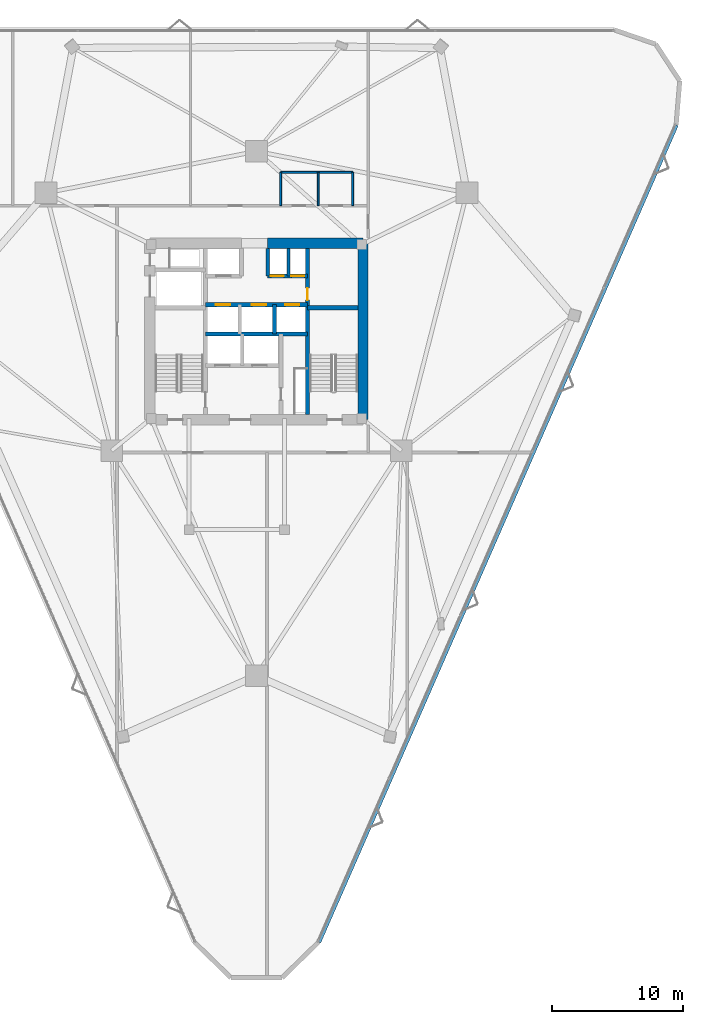
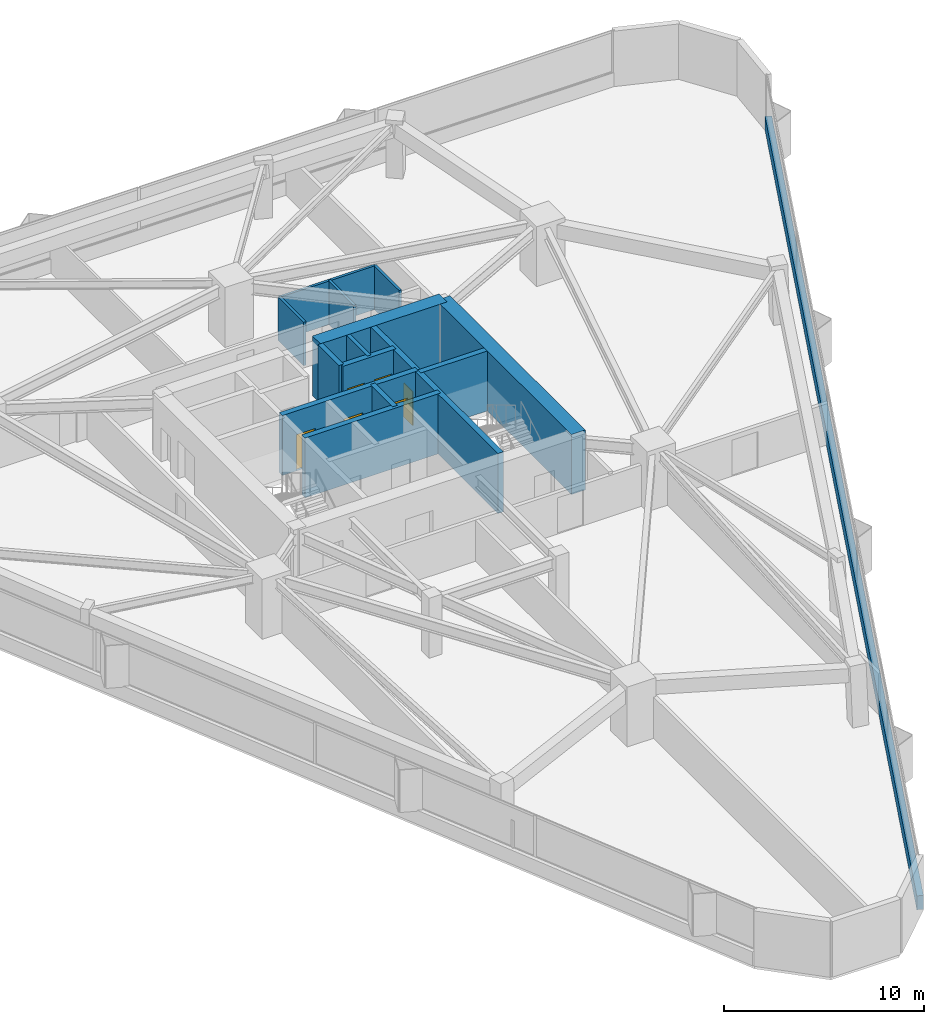
# One storey, part 18 of 20: 15 walls, 6 doors, 6 openings.
"""IFC4 building model written with IfcOpenShell, lengths in metres."""

from ifc_helpers import new_model, si_unit, direction, frame, frame_2d, origin, place, context, subcontext, project, spatial, rectangle, extrude, material, layer, layer_set, type_object, element, fill, save


model = new_model("IFC4")

# Units and contexts
model_context = context("Model", 3, precision=1e-05, world=origin(), true_north=direction((0.0, 1.0)))
body_context = subcontext(model_context, "Body", "Model", "MODEL_VIEW")
ifc_project = project(units=[si_unit("LENGTHUNIT", "METRE"), si_unit("AREAUNIT", "SQUARE_METRE"), si_unit("VOLUMEUNIT", "CUBIC_METRE"), si_unit("PLANEANGLEUNIT", "RADIAN"), si_unit("MASSUNIT", "GRAM", prefix="KILO")], contexts=[model_context])

# Site, building, storey
site_placement = place(None, origin())
site = spatial("IfcSite", under=ifc_project, at=site_placement, CompositionType="ELEMENT")
building_placement = place(site_placement, origin())
building = spatial("IfcBuilding", under=site, at=building_placement, Name="Talyreon Biosciences Tower", CompositionType="ELEMENT")
storey_placement = place(building_placement, frame((0.0, 0.0, 75.0)))
storey = spatial("IfcBuildingStorey", under=building, at=storey_placement, Name="L19", CompositionType="ELEMENT", Elevation=75.0)

# Walls
ifc_material_1 = material(Name="Concrete C50/60", Category="concrete")
ifc_layer_1 = layer(ifc_material_1, 0.219970703125)
ifc_layer_set_1 = layer_set([ifc_layer_1], Name="Concrete C50/60")
wall_type_1 = type_object("IfcWallType", Name="CoreShearWall_220", PredefinedType="SHEAR", material=ifc_layer_set_1)
wall_1_placement = place(storey_placement, frame((68.4599609375, 72.25, 0.0), z_axis=(0.0, 0.0, 1.0), x_axis=(0.0, 1.0, 0.0)))
element("IfcWall", 1, at=wall_1_placement, inside=storey, type_object=wall_type_1, Name="L19 Core Shaft Wall SWPHD", PredefinedType="SHEAR", context=body_context, shape_type="SweptSolid", body=[
    extrude(rectangle(XDim=2.10009765625, YDim=0.219970703125, at=frame_2d((1.050048828125, 0.0))), origin(), (0.0, 0.0, 1.0), 3.64990234375),
])
ifc_layer_2 = layer(ifc_material_1, 0.280029296875)
ifc_layer_set_2 = layer_set([ifc_layer_2], Name="Concrete C50/60")
wall_type_2 = type_object("IfcWallType", Name="CoreShearWall_280", PredefinedType="SHEAR", material=ifc_layer_set_2)
wall_2_placement = place(storey_placement, frame((66.85009765625, 72.25, 0.0), z_axis=(0.0, 0.0, 1.0), x_axis=(0.0, 1.0, 0.0)))
element("IfcWall", 2, at=wall_2_placement, inside=storey, type_object=wall_type_2, Name="L19 Core Shaft Wall SWTHE", PredefinedType="SHEAR", context=body_context, shape_type="SweptSolid", body=[
    extrude(rectangle(XDim=2.10009765625, YDim=0.280029296875, at=frame_2d((1.050048828125, 0.0))), origin(), (0.0, 0.0, 1.0), 3.64990234375),
])
wall_3_placement = place(storey_placement, frame((67.3798828125, 67.800048828125, 0.0), z_axis=(0.0, 0.0, 1.0), x_axis=(0.0, 1.0, 0.0)))
element("IfcWall", 3, at=wall_3_placement, inside=storey, type_object=wall_type_2, Name="L19 Core Shaft Wall SWPMD", PredefinedType="SHEAR", context=body_context, shape_type="SweptSolid", body=[
    extrude(rectangle(XDim=2.25, YDim=0.280029296875, at=frame_2d((1.125, 0.0))), origin(), (0.0, 0.0, 1.0), 3.64990234375),
])

# Wall, opening, door
ifc_layer_3 = layer(ifc_material_1, 0.320068359375)
ifc_layer_set_3 = layer_set([ifc_layer_3], Name="Concrete C50/60")
wall_type_3 = type_object("IfcWallType", Name="CoreShearWall_320", PredefinedType="SHEAR", material=ifc_layer_set_3)
wall_4_placement = place(storey_placement, frame((69.909912109375, 61.64990234375, 0.0), z_axis=(0.0, 0.0, 1.0), x_axis=(0.0, 1.0, 0.0)))
wall_4 = element("IfcWall", 4, at=wall_4_placement, inside=storey, type_object=wall_type_3, Name="L19 Core Shaft Wall SW2W", PredefinedType="SHEAR", context=body_context, shape_type="SweptSolid", body=[
    extrude(rectangle(XDim=12.7001953125, YDim=0.320068359375, at=frame_2d((6.35009765625, 0.0))), origin(), (0.0, 0.0, 1.0), 3.64990234375),
])
opening_1_placement = place(wall_4_placement, frame((8.75, 0.0, 0.0)))
opening_1 = element("IfcOpeningElement", 5, at=opening_1_placement, cuts=wall_4, Name="Opening DR-L19-CSRV", PredefinedType="OPENING", context=body_context, shape_type="SweptSolid", body=[
    extrude(rectangle(XDim=0.919921875, YDim=2.050048828125, at=frame_2d((0.4599609375, 1.02490234375))), frame((0.0, 0.169921875, 0.0), z_axis=(0.0, -1.0, 0.0), x_axis=(1.0, 0.0, 0.0)), (0.0, 0.0, 1.0), 0.340087890625),
])
ifc_material_2 = material(Name="Painted steel fire-rated riser door", Category="steel")
door_type_1 = type_object("IfcDoorType", Name="RiserPlantAccessDoor_920x2050", OperationType="NOTDEFINED", PredefinedType="DOOR", material=ifc_material_2)
door_1_placement = place(opening_1_placement, origin())
door_1 = element("IfcDoor", 6, at=door_1_placement, inside=storey, type_object=door_type_1, Name="L19 Core Door DR-L19-CSRV", OperationType="SINGLE_SWING_RIGHT", OverallHeight=2.050048828125, OverallWidth=0.919921875, PredefinedType="DOOR", context=body_context, shape_type="SweptSolid", body=[
    extrude(rectangle(XDim=0.919921875, YDim=2.050048828125, at=frame_2d((0.4599609375, 1.02490234375))), frame((0.0, 0.02490234375, 0.0), z_axis=(0.0, -1.0, 0.0), x_axis=(1.0, 0.0, 0.0)), (0.0, 0.0, 1.0), 0.050048828125),
])
fill(opening_1, door_1)

# Walls
wall_5_placement = place(storey_placement, frame((69.909912109375, 69.81005859375, 0.0), z_axis=(0.0, 0.0, 1.0), x_axis=(1.0, 0.0, 0.0)))
element("IfcWall", 7, at=wall_5_placement, inside=storey, type_object=wall_type_3, Name="L19 Core Shaft Wall SW2N", PredefinedType="SHEAR", context=body_context, shape_type="SweptSolid", body=[
    extrude(rectangle(XDim=3.840087890625, YDim=0.320068359375, at=frame_2d((1.919921875, 0.0))), origin(), (0.0, 0.0, 1.0), 3.64990234375),
])
wall_6_placement = place(storey_placement, frame((62.090087890625, 67.800048828125, 0.0), z_axis=(0.0, 0.0, 1.0), x_axis=(1.0, 0.0, 0.0)))
element("IfcWall", 8, at=wall_6_placement, inside=storey, type_object=wall_type_3, Name="L19 Core Shaft Wall SWSHM", PredefinedType="SHEAR", context=body_context, shape_type="SweptSolid", body=[
    extrude(rectangle(XDim=7.81982421875, YDim=0.320068359375, at=frame_2d((3.909912109375, 0.0))), origin(), (0.0, 0.0, 1.0), 3.64990234375),
])

# Wall, openings, doors
wall_7_placement = place(storey_placement, frame((62.090087890625, 70.050048828125, 0.0), z_axis=(0.0, 0.0, 1.0), x_axis=(1.0, 0.0, 0.0)))
wall_7 = element("IfcWall", 9, at=wall_7_placement, inside=storey, type_object=wall_type_3, Name="L19 Core Shaft Wall SWSPN", PredefinedType="SHEAR", context=body_context, shape_type="SweptSolid", body=[
    extrude(rectangle(XDim=7.81982421875, YDim=0.320068359375, at=frame_2d((3.909912109375, 0.0))), origin(), (0.0, 0.0, 1.0), 3.64990234375),
])
opening_2_placement = place(wall_7_placement, frame((0.800048828125, 0.0, 0.0)))
opening_2 = element("IfcOpeningElement", 10, at=opening_2_placement, cuts=wall_7, Name="Opening LD-L19-PL1", PredefinedType="OPENING", context=body_context, shape_type="SweptSolid", body=[
    extrude(rectangle(XDim=1.10009765625, YDim=2.199951171875, at=frame_2d((0.550048828125, 1.10009765625))), frame((0.0, 0.169921875, 0.0), z_axis=(0.0, -1.0, 0.0), x_axis=(1.0, 0.0, 0.0)), (0.0, 0.0, 1.0), 0.340087890625),
])
opening_3_placement = place(wall_7_placement, frame((3.550048828125, 0.0, 0.0)))
opening_3 = element("IfcOpeningElement", 11, at=opening_3_placement, cuts=wall_7, Name="Opening LD-L19-PL2", PredefinedType="OPENING", context=body_context, shape_type="SweptSolid", body=[
    extrude(rectangle(XDim=1.10009765625, YDim=2.199951171875, at=frame_2d((0.550048828125, 1.10009765625))), frame((0.0, 0.169921875, 0.0), z_axis=(0.0, -1.0, 0.0), x_axis=(1.0, 0.0, 0.0)), (0.0, 0.0, 1.0), 0.340087890625),
])
opening_4_placement = place(wall_7_placement, frame((6.10009765625, 0.0, 0.0)))
opening_4 = element("IfcOpeningElement", 12, at=opening_4_placement, cuts=wall_7, Name="Opening LD-L19-PM1", PredefinedType="OPENING", context=body_context, shape_type="SweptSolid", body=[
    extrude(rectangle(XDim=1.10009765625, YDim=2.199951171875, at=frame_2d((0.550048828125, 1.10009765625))), frame((0.0, 0.169921875, 0.0), z_axis=(0.0, -1.0, 0.0), x_axis=(1.0, 0.0, 0.0)), (0.0, 0.0, 1.0), 0.340087890625),
])
ifc_material_3 = material(Name="Brushed stainless-steel lift landing door", Category="steel")
door_type_2 = type_object("IfcDoorType", Name="LiftSlidingLandingDoor_1100x2200", OperationType="SLIDING_TO_LEFT", PredefinedType="DOOR", material=ifc_material_3)
door_2_placement = place(opening_2_placement, origin())
door_2 = element("IfcDoor", 13, at=door_2_placement, inside=storey, type_object=door_type_2, Name="L19 Core Door LD-L19-PL1", OperationType="SLIDING_TO_LEFT", OverallHeight=2.199951171875, OverallWidth=1.10009765625, PredefinedType="DOOR", context=body_context, shape_type="SweptSolid", body=[
    extrude(rectangle(XDim=1.10009765625, YDim=2.199951171875, at=frame_2d((0.550048828125, 1.10009765625))), frame((0.0, 0.02490234375, 0.0), z_axis=(0.0, -1.0, 0.0), x_axis=(1.0, 0.0, 0.0)), (0.0, 0.0, 1.0), 0.050048828125),
])
fill(opening_2, door_2)
door_3_placement = place(opening_3_placement, origin())
door_3 = element("IfcDoor", 14, at=door_3_placement, inside=storey, type_object=door_type_2, Name="L19 Core Door LD-L19-PL2", OperationType="SLIDING_TO_LEFT", OverallHeight=2.199951171875, OverallWidth=1.10009765625, PredefinedType="DOOR", context=body_context, shape_type="SweptSolid", body=[
    extrude(rectangle(XDim=1.10009765625, YDim=2.199951171875, at=frame_2d((0.550048828125, 1.10009765625))), frame((0.0, 0.02490234375, 0.0), z_axis=(0.0, -1.0, 0.0), x_axis=(1.0, 0.0, 0.0)), (0.0, 0.0, 1.0), 0.050048828125),
])
fill(opening_3, door_3)
door_4_placement = place(opening_4_placement, origin())
door_4 = element("IfcDoor", 15, at=door_4_placement, inside=storey, type_object=door_type_2, Name="L19 Core Door LD-L19-PM1", OperationType="SLIDING_TO_LEFT", OverallHeight=2.199951171875, OverallWidth=1.10009765625, PredefinedType="DOOR", context=body_context, shape_type="SweptSolid", body=[
    extrude(rectangle(XDim=1.10009765625, YDim=2.199951171875, at=frame_2d((0.550048828125, 1.10009765625))), frame((0.0, 0.02490234375, 0.0), z_axis=(0.0, -1.0, 0.0), x_axis=(1.0, 0.0, 0.0)), (0.0, 0.0, 1.0), 0.050048828125),
])
fill(opening_4, door_4)

wall_8_placement = place(storey_placement, frame((66.85009765625, 72.25, 0.0), z_axis=(0.0, 0.0, 1.0), x_axis=(1.0, 0.0, 0.0)))
wall_8 = element("IfcWall", 16, at=wall_8_placement, inside=storey, type_object=wall_type_3, Name="L19 Core Shaft Wall SWNPE", PredefinedType="SHEAR", context=body_context, shape_type="SweptSolid", body=[
    extrude(rectangle(XDim=3.059814453125, YDim=0.320068359375, at=frame_2d((1.52978515625, 0.0))), origin(), (0.0, 0.0, 1.0), 3.64990234375),
])
opening_5_placement = place(wall_8_placement, frame((0.25, 0.0, 0.0)))
opening_5 = element("IfcOpeningElement", 17, at=opening_5_placement, cuts=wall_8, Name="Opening LD-L19-PH1", PredefinedType="OPENING", context=body_context, shape_type="SweptSolid", body=[
    extrude(rectangle(XDim=1.0, YDim=2.199951171875, at=frame_2d((0.5, 1.10009765625))), frame((0.0, 0.169921875, 0.0), z_axis=(0.0, -1.0, 0.0), x_axis=(1.0, 0.0, 0.0)), (0.0, 0.0, 1.0), 0.340087890625),
])
opening_6_placement = place(wall_8_placement, frame((1.820068359375, 0.0, 0.0)))
opening_6 = element("IfcOpeningElement", 18, at=opening_6_placement, cuts=wall_8, Name="Opening LD-L19-PH2", PredefinedType="OPENING", context=body_context, shape_type="SweptSolid", body=[
    extrude(rectangle(XDim=1.0, YDim=2.199951171875, at=frame_2d((0.5, 1.10009765625))), frame((0.0, 0.169921875, 0.0), z_axis=(0.0, -1.0, 0.0), x_axis=(1.0, 0.0, 0.0)), (0.0, 0.0, 1.0), 0.340087890625),
])
door_5_placement = place(opening_5_placement, origin())
door_5 = element("IfcDoor", 19, at=door_5_placement, inside=storey, type_object=door_type_2, Name="L19 Core Door LD-L19-PH1", OperationType="SLIDING_TO_LEFT", OverallHeight=2.199951171875, OverallWidth=1.0, PredefinedType="DOOR", context=body_context, shape_type="SweptSolid", body=[
    extrude(rectangle(XDim=1.0, YDim=2.199951171875, at=frame_2d((0.5, 1.10009765625))), frame((0.0, 0.02490234375, 0.0), z_axis=(0.0, -1.0, 0.0), x_axis=(1.0, 0.0, 0.0)), (0.0, 0.0, 1.0), 0.050048828125),
])
fill(opening_5, door_5)
door_6_placement = place(opening_6_placement, origin())
door_6 = element("IfcDoor", 20, at=door_6_placement, inside=storey, type_object=door_type_2, Name="L19 Core Door LD-L19-PH2", OperationType="SLIDING_TO_LEFT", OverallHeight=2.199951171875, OverallWidth=1.0, PredefinedType="DOOR", context=body_context, shape_type="SweptSolid", body=[
    extrude(rectangle(XDim=1.0, YDim=2.199951171875, at=frame_2d((0.5, 1.10009765625))), frame((0.0, 0.02490234375, 0.0), z_axis=(0.0, -1.0, 0.0), x_axis=(1.0, 0.0, 0.0)), (0.0, 0.0, 1.0), 0.050048828125),
])
fill(opening_6, door_6)

# Walls
ifc_material_4 = material(Name="Concrete C60/75", Category="concrete")
ifc_layer_4 = layer(ifc_material_4, 0.800048828125)
ifc_layer_set_4 = layer_set([ifc_layer_4], Name="Concrete C60/75")
wall_type_4 = type_object("IfcWallType", Name="CoreShearWall_800", PredefinedType="SHEAR", material=ifc_layer_set_4)
wall_9_placement = place(storey_placement, frame((74.14990234375, 61.25, 0.0), z_axis=(0.0, 0.0, 1.0), x_axis=(0.0, 1.0, 0.0)))
element("IfcWall", 21, at=wall_9_placement, inside=storey, type_object=wall_type_4, Name="L19 Core Shear Wall E", PredefinedType="SHEAR", context=body_context, shape_type="SweptSolid", body=[
    extrude(rectangle(XDim=13.5, YDim=0.800048828125, at=frame_2d((6.75, 0.0))), origin(), (0.0, 0.0, 1.0), 3.64990234375),
])
wall_10_placement = place(storey_placement, frame((74.14990234375, 74.75, 0.0), z_axis=(0.0, 0.0, 1.0), x_axis=(-1.0, 0.0, 0.0)))
element("IfcWall", 22, at=wall_10_placement, inside=storey, type_object=wall_type_4, Name="L19 Core Shear Wall NE", PredefinedType="SHEAR", context=body_context, shape_type="SweptSolid", body=[
    extrude(rectangle(XDim=7.2998046875, YDim=0.800048828125, at=frame_2d((3.64990234375, 0.0))), origin(), (0.0, 0.0, 1.0), 3.64990234375),
])
ifc_material_5 = material(Name="Precast concrete C45/55", Category="concrete")
ifc_layer_5 = layer(ifc_material_5, 0.340087890625)
ifc_layer_set_5 = layer_set([ifc_layer_5], Name="Precast concrete C45/55")
wall_type_5 = type_object("IfcWallType", Name="PrecastConcreteSpandrelWall_340", PredefinedType="STANDARD", material=ifc_layer_set_5)
wall_11_placement = place(storey_placement, frame((98.114013671875, 83.802734375, 0.0), z_axis=(0.0, 0.0, 1.0), x_axis=(-0.400832536075, -0.916151340131, 0.0)))
element("IfcWall", 23, at=wall_11_placement, inside=storey, type_object=wall_type_5, Name="L19 Expressed Concrete Sill Wall 08", PredefinedType="STANDARD", context=body_context, shape_type="SweptSolid", body=[
    extrude(rectangle(XDim=68.233154296875, YDim=0.340087890625, at=frame_2d((34.11669921875, 0.0))), origin(), (0.0, 0.0, 1.0), 0.85009765625),
])
ifc_material_6 = material(Name="Moisture-resistant cement-board stud", Category="gypsum")
ifc_layer_6 = layer(ifc_material_6, 0.14501953125)
ifc_layer_set_6 = layer_set([ifc_layer_6], Name="Moisture-resistant cement-board stud")
wall_type_6 = type_object("IfcWallType", Name="WetRoomPartition_145", PredefinedType="PARTITIONING", material=ifc_layer_set_6)
for number, where, z_axis, x_axis, name in (
    (24, (67.85009765625, 77.6201171875, 0.0), (0.0, 0.0, 1.0), (0.0, 1.0, 0.0), "L19 Interior Wall IW-L19-WCL"),
    (25, (70.72509765625, 77.6201171875, 0.0), (0.0, 0.0, 1.0), (0.0, 1.0, 0.0), "L19 Interior Wall IW-L19-WCM"),
    (26, (73.35009765625, 77.6201171875, 0.0), (0.0, 0.0, 1.0), (0.0, 1.0, 0.0), "L19 Interior Wall IW-L19-WCR"),
):
    element("IfcWall", number, at=place(storey_placement, frame(where, z_axis=z_axis, x_axis=x_axis)), inside=storey, type_object=wall_type_6, Name=name, PredefinedType="PARTITIONING", context=body_context, shape_type="SweptSolid", body=[
        extrude(rectangle(XDim=2.5498046875, YDim=0.14501953125, at=frame_2d((1.27490234375, 0.0))), origin(), (0.0, 0.0, 1.0), 2.655029296875),
    ])
wall_12_placement = place(storey_placement, frame((67.85009765625, 80.169921875, 0.0), z_axis=(0.0, 0.0, 1.0), x_axis=(1.0, 0.0, 0.0)))
element("IfcWall", 27, at=wall_12_placement, inside=storey, type_object=wall_type_6, Name="L19 Interior Wall IW-L19-WCT", PredefinedType="PARTITIONING", context=body_context, shape_type="SweptSolid", body=[
    extrude(rectangle(XDim=5.5, YDim=0.14501953125, at=frame_2d((2.75, 0.0))), origin(), (0.0, 0.0, 1.0), 2.655029296875),
])

save(model, "model.ifc")
